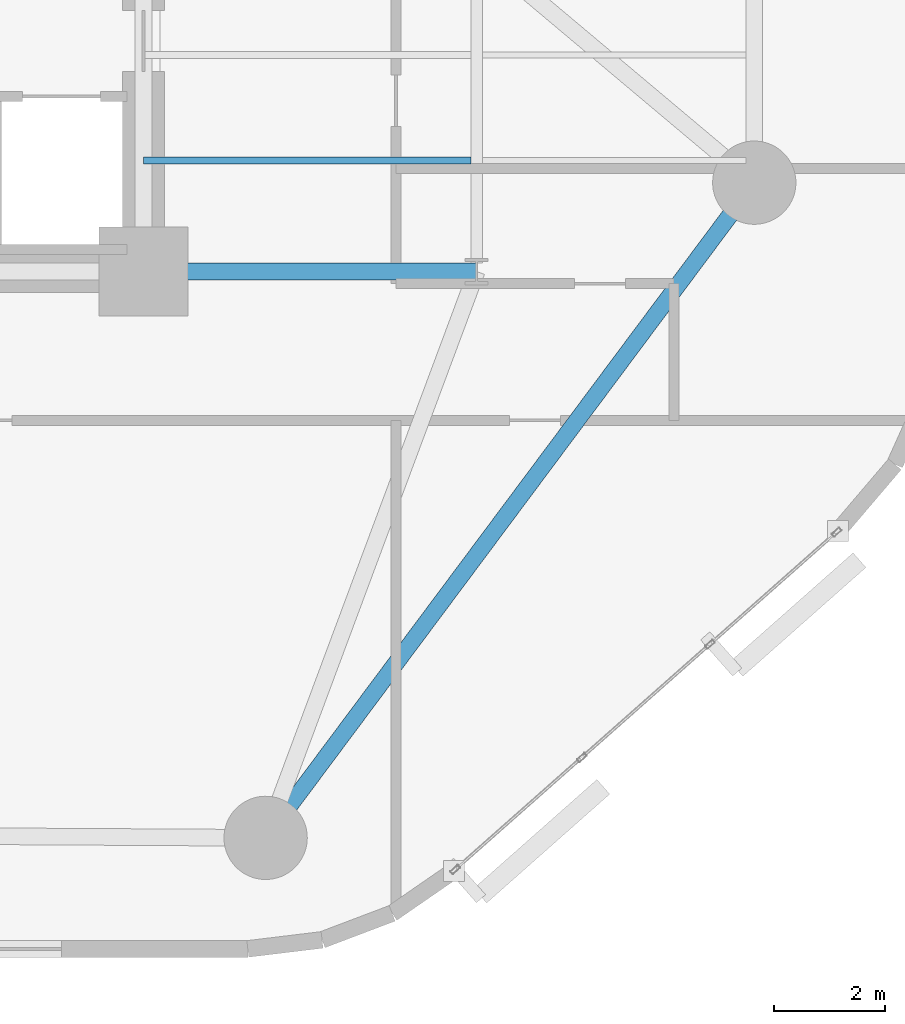
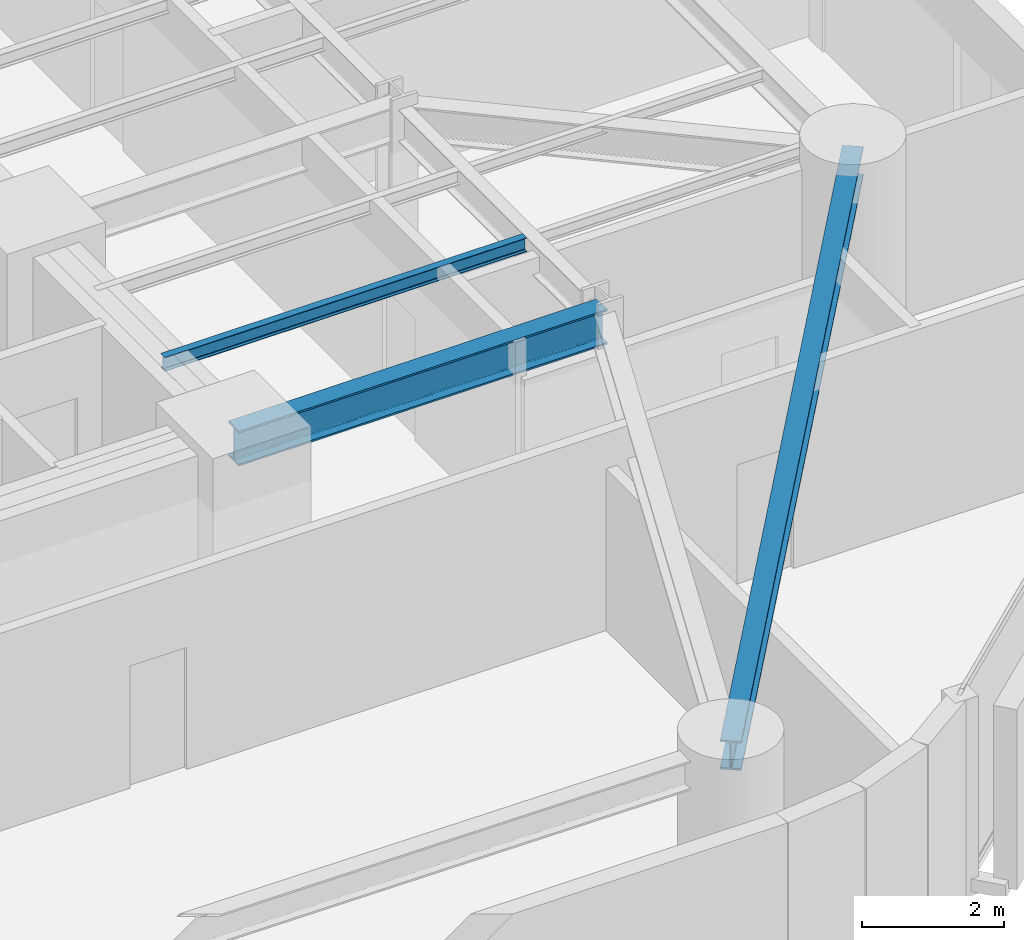
# One storey, part 3 of 16: 3 beams.
"""IFC4 building model written with IfcOpenShell, lengths in metres."""

import ifcopenshell
import ifcopenshell.guid

model = None  # the IFC model being written
_history = None  # IfcOwnerHistory: only IFC2X3 demands one
_inside = {}  # id of a spatial element -> (the spatial element, [elements in it])
_under = {}  # id of a project, library or spatial element -> (it, [spatial elements below it])
_declared = {}  # id of a project -> (the project, [libraries it declares])
_typed = {}  # id of a type object -> (the type object, [elements of that type])
_made_of = {}  # id of a material, layer set ... -> (it, [elements and type objects made of it])


def new_model(schema):
    """Start an empty IFC model of exactly this schema.

    Asked for "IFC4X3", IfcOpenShell would pick the latest addendum, in which some entities
    have other attributes; the version numbers below select the first issue.
    IFC2X3 requires an IfcOwnerHistory on every rooted entity: one is made here for all.
    """
    global model, _history
    if schema == "IFC4X3":
        model = ifcopenshell.file(schema_version=(4, 3, 0, 0))
    else:
        model = ifcopenshell.file(schema=schema)
    _inside.clear()
    _under.clear()
    _declared.clear()
    _typed.clear()
    _made_of.clear()
    _history = None
    if model.schema == "IFC2X3":
        org = make("IfcOrganization", Name="unknown")
        user = make(
            "IfcPersonAndOrganization",
            ThePerson=make("IfcPerson", FamilyName="unknown"),
            TheOrganization=org,
        )
        app = make(
            "IfcApplication",
            ApplicationDeveloper=org,
            Version="unknown",
            ApplicationFullName="unknown",
            ApplicationIdentifier="unknown",
        )
        _history = make(
            "IfcOwnerHistory",
            OwningUser=user,
            OwningApplication=app,
            ChangeAction="ADDED",
            CreationDate=0,
        )
    return model


def make(cls, **values):
    """One entity of the class cls with the attributes given. An attribute that is None is left unset."""
    return model.create_entity(
        cls, **{name: value for name, value in values.items() if value is not None}
    )


def rooted(cls, **values):
    """An entity with a GlobalId (a new one), such as an element, a storey or a relation."""
    return make(cls, GlobalId=ifcopenshell.guid.new(), OwnerHistory=_history, **values)


def si_unit(unit_type, name, prefix=None):
    """IfcSIUnit, for example si_unit("LENGTHUNIT", "METRE", prefix="MILLI")."""
    return make("IfcSIUnit", UnitType=unit_type, Prefix=prefix, Name=name)


def assignment(units):
    """IfcUnitAssignment: the units of a project."""
    return None if units is None else make("IfcUnitAssignment", Units=units)


def point(xyz):
    """IfcCartesianPoint."""
    return None if xyz is None else make("IfcCartesianPoint", Coordinates=xyz)


def direction(xyz):
    """IfcDirection."""
    return None if xyz is None else make("IfcDirection", DirectionRatios=xyz)


def frame(location, z_axis=None, x_axis=None):
    """IfcAxis2Placement3D, a coordinate frame: its origin and axes. An axis left out is left unset."""
    return make(
        "IfcAxis2Placement3D",
        Location=point(location),
        Axis=direction(z_axis),
        RefDirection=direction(x_axis),
    )


def frame_2d(location, x_axis=None):
    """IfcAxis2Placement2D, a coordinate frame in the plane: its origin and x axis."""
    return make(
        "IfcAxis2Placement2D", Location=point(location), RefDirection=direction(x_axis)
    )


def origin():
    """The frame at (0, 0, 0) with its axes left unset."""
    return frame((0.0, 0.0, 0.0))


def origin_2d():
    """The frame at (0, 0) in the plane with its x axis left unset."""
    return frame_2d((0.0, 0.0))


def place(relative_to, where):
    """IfcLocalPlacement: puts the frame where relative to a parent placement (None: the world)."""
    return make(
        "IfcLocalPlacement", PlacementRelTo=relative_to, RelativePlacement=where
    )


def context(
    kind, dimensions, precision=None, world=None, true_north=None, identifier=None
):
    """IfcGeometricRepresentationContext, for example the 3D "Model" context."""
    return make(
        "IfcGeometricRepresentationContext",
        ContextIdentifier=identifier,
        ContextType=kind,
        CoordinateSpaceDimension=dimensions,
        Precision=precision,
        WorldCoordinateSystem=world,
        TrueNorth=true_north,
    )


def subcontext(parent, identifier, kind, view, scale=None):
    """IfcGeometricRepresentationSubContext, for example "Body" below "Model"."""
    return make(
        "IfcGeometricRepresentationSubContext",
        ContextIdentifier=identifier,
        ContextType=kind,
        ParentContext=parent,
        TargetScale=scale,
        TargetView=view,
    )


def project(units=None, contexts=None):
    """IfcProject with its units and contexts."""
    return rooted(
        "IfcProject",
        Name="project",
        RepresentationContexts=contexts,
        UnitsInContext=assignment(units),
    )


def spatial(cls, under=None, at=None, **own):
    """A site, building, storey or space (cls), placed at a placement, below another one or the project."""
    s = rooted(cls, ObjectPlacement=at, **own)
    if under is not None:
        _under.setdefault(under.id(), (under, []))[1].append(s)
    return s


def profile(cls, at=None, kind="AREA", **sizes):
    """A parametric profile (cls). Its sizes go by their IFC names, for example OverallWidth=200.0."""
    return make(cls, ProfileType=kind, Position=at, **sizes)


def i_section(**sizes):
    """IfcIShapeProfileDef."""
    return profile("IfcIShapeProfileDef", **sizes)


def extrude(swept, where, along, depth):
    """IfcExtrudedAreaSolid: the profile swept, set in the frame where, extruded along a direction by depth."""
    return make(
        "IfcExtrudedAreaSolid",
        SweptArea=swept,
        Position=where,
        ExtrudedDirection=direction(along),
        Depth=depth,
    )


def shape(context_of_items, identifier, shape_type, items):
    """IfcShapeRepresentation: the items that make up one representation, for example the "Body"."""
    return make(
        "IfcShapeRepresentation",
        ContextOfItems=context_of_items,
        RepresentationIdentifier=identifier,
        RepresentationType=shape_type,
        Items=items,
    )


def material(Name=None, Category=None):
    """IfcMaterial."""
    return make("IfcMaterial", Name=Name, Category=Category)


def material_profile(
    of_material, cross_section, Name=None, Category=None, Priority=None
):
    """IfcMaterialProfile: a cross section and its material."""
    return make(
        "IfcMaterialProfile",
        Name=Name,
        Material=of_material,
        Profile=cross_section,
        Priority=Priority,
        Category=Category,
    )


def profile_set(profiles, Name=None, composite=None):
    """IfcMaterialProfileSet."""
    return make(
        "IfcMaterialProfileSet",
        Name=Name,
        MaterialProfiles=profiles,
        CompositeProfile=composite,
    )


def made_of(thing, what):
    """Note that an element or type object is made of a material, layer set ...; save() writes the relation."""
    if what is not None:
        _made_of.setdefault(what.id(), (what, []))[1].append(thing)
    return thing


def type_object(cls, material=None, **own):
    """A type object (cls), such as IfcWallType, which elements share."""
    return made_of(rooted(cls, **own), material)


def element(
    cls,
    number,
    at=None,
    inside=None,
    cuts=None,
    type_object=None,
    material=None,
    context=None,
    identifier="Body",
    shape_type=None,
    held_by="IfcProductDefinitionShape",
    body=None,
    shapes=None,
    **own,
):
    """One element of the class cls, such as IfcWall. Its Tag is "e" and its number.

    at: its placement. inside: the storey or other place that contains it. cuts: it is an
    opening in that element (IfcRelVoidsElement). A single representation is given by context,
    identifier, shape_type and body (its items); several are given by shapes. held_by: the class
    of the entity that holds the representations. save() writes the other relations.
    """
    e = rooted(cls, Tag="e%d" % number, ObjectPlacement=at, **own)
    if body is not None:
        shapes = [shape(context, identifier, shape_type, body)]
    if shapes is not None:
        e.Representation = make(held_by, Representations=shapes)
    if inside is not None:
        _inside.setdefault(inside.id(), (inside, []))[1].append(e)
    if cuts is not None:
        rooted(
            "IfcRelVoidsElement", RelatingBuildingElement=cuts, RelatedOpeningElement=e
        )
    if type_object is not None:
        _typed.setdefault(type_object.id(), (type_object, []))[1].append(e)
    return made_of(e, material)


def aggregate(whole, parts):
    """IfcRelAggregates: a whole, such as a stair, and the parts it consists of."""
    return rooted("IfcRelAggregates", RelatingObject=whole, RelatedObjects=parts)


def save(model, path):
    """Write the relations noted so far, then the file.

    IfcRelAggregates (storeys below a building ...), IfcRelContainedInSpatialStructure (elements
    in a storey), IfcRelDefinesByType, IfcRelAssociatesMaterial and IfcRelDeclares: one each for
    every whole, place, type object, material and project.
    """
    for whole, parts in _under.values():
        aggregate(whole, parts)
    for where, things in _inside.values():
        rooted(
            "IfcRelContainedInSpatialStructure",
            RelatedElements=things,
            RelatingStructure=where,
        )
    for kind, things in _typed.values():
        rooted("IfcRelDefinesByType", RelatedObjects=things, RelatingType=kind)
    for what, things in _made_of.values():
        rooted("IfcRelAssociatesMaterial", RelatedObjects=things, RelatingMaterial=what)
    for by, libraries in _declared.values():
        rooted("IfcRelDeclares", RelatingContext=by, RelatedDefinitions=libraries)
    model.write(path)


model = new_model("IFC4")

# Units and contexts
model_context = context("Model", 3, precision=1e-05, world=origin(), true_north=direction((0.0, 1.0)))
body_context = subcontext(model_context, "Body", "Model", "MODEL_VIEW")
ifc_project = project(units=[si_unit("LENGTHUNIT", "METRE"), si_unit("AREAUNIT", "SQUARE_METRE"), si_unit("VOLUMEUNIT", "CUBIC_METRE"), si_unit("PLANEANGLEUNIT", "RADIAN"), si_unit("MASSUNIT", "GRAM", prefix="KILO")], contexts=[model_context])

# Site, building, storey
site_placement = place(None, origin())
site = spatial("IfcSite", under=ifc_project, at=site_placement, CompositionType="ELEMENT")
building_placement = place(site_placement, origin())
building = spatial("IfcBuilding", under=site, at=building_placement, Name="An Khanh Terracotta Commons", CompositionType="ELEMENT")
storey_placement = place(building_placement, frame((0.0, 0.0, 46.800048828125)))
storey = spatial("IfcBuildingStorey", under=building, at=storey_placement, Name="L12", CompositionType="ELEMENT", Elevation=46.800048828125)

# Beams
ifc_material = material(Name="Steel S355J2", Category="steel")
ifc_material_profile_1 = material_profile(ifc_material, i_section(OverallWidth=0.300048828125, OverallDepth=0.5, WebThickness=0.014404296875, FlangeThickness=0.028076171875, FilletRadius=0.027099609375, at=origin_2d()), Name="HEB500")
ifc_profile_set_1 = profile_set([ifc_material_profile_1], Name="Steel S355J2")
beam_type_1 = type_object("IfcBeamType", Name="BM-HEB500", PredefinedType="BEAM", material=ifc_profile_set_1)
beam_1_placement = place(storey_placement, frame((39.39990234375, 4.199951171875, 3.14990234375), z_axis=(0.59782442166, 0.801627070942, 0.0), x_axis=(-0.801627070942, 0.59782442166, 0.0)))
element("IfcBeam", 1, at=beam_1_placement, inside=storey, type_object=beam_type_1, Name="L12 Perimeter Ring Spandrel 2", PredefinedType="BEAM", context=body_context, shape_type="SweptSolid", body=[
    extrude(i_section(OverallWidth=0.300048828125, OverallDepth=0.5, WebThickness=0.014404296875, FlangeThickness=0.028076171875, FilletRadius=0.027099609375, at=origin_2d()), origin(), (0.0, 0.0, 1.0), 14.72021484375),
])
ifc_material_profile_2 = material_profile(ifc_material, i_section(OverallWidth=0.300048828125, OverallDepth=0.60009765625, WebThickness=0.015380859375, FlangeThickness=0.030029296875, FilletRadius=0.027099609375, at=origin_2d()), Name="HEB600")
ifc_profile_set_2 = profile_set([ifc_material_profile_2], Name="Steel S355J2")
beam_type_2 = type_object("IfcBeamType", Name="BM-HEB600", PredefinedType="BEAM", material=ifc_profile_set_2)
beam_2_placement = place(storey_placement, frame((37.199951171875, 14.39990234375, 3.099853515625), z_axis=(1.0, 0.0, 0.0), x_axis=(0.0, 1.0, 0.0)))
element("IfcBeam", 2, at=beam_2_placement, inside=storey, type_object=beam_type_2, Name="L12 East Primary Floor Girder 1", PredefinedType="BEAM", context=body_context, shape_type="SweptSolid", body=[
    extrude(i_section(OverallWidth=0.300048828125, OverallDepth=0.60009765625, WebThickness=0.015380859375, FlangeThickness=0.030029296875, FilletRadius=0.027099609375, at=origin_2d()), origin(), (0.0, 0.0, 1.0), 6.0),
])
ifc_material_profile_3 = material_profile(ifc_material, i_section(OverallWidth=0.1201171875, OverallDepth=0.239990234375, WebThickness=0.006103515625, FlangeThickness=0.009765625, FilletRadius=0.014892578125, at=origin_2d()), Name="IPE240")
ifc_profile_set_3 = profile_set([ifc_material_profile_3], Name="Steel S355J2")
beam_type_3 = type_object("IfcBeamType", Name="BM-IPE240", PredefinedType="JOIST", material=ifc_profile_set_3)
beam_3_placement = place(storey_placement, frame((37.199951171875, 16.39990234375, 3.280029296875), z_axis=(1.0, 0.0, 0.0), x_axis=(0.0, 1.0, 0.0)))
element("IfcBeam", 3, at=beam_3_placement, inside=storey, type_object=beam_type_3, Name="L12 Inboard Composite Joist 1", PredefinedType="JOIST", context=body_context, shape_type="SweptSolid", body=[
    extrude(i_section(OverallWidth=0.1201171875, OverallDepth=0.239990234375, WebThickness=0.006103515625, FlangeThickness=0.009765625, FilletRadius=0.014892578125, at=origin_2d()), origin(), (0.0, 0.0, 1.0), 5.89501953125),
])

save(model, "model.ifc")
